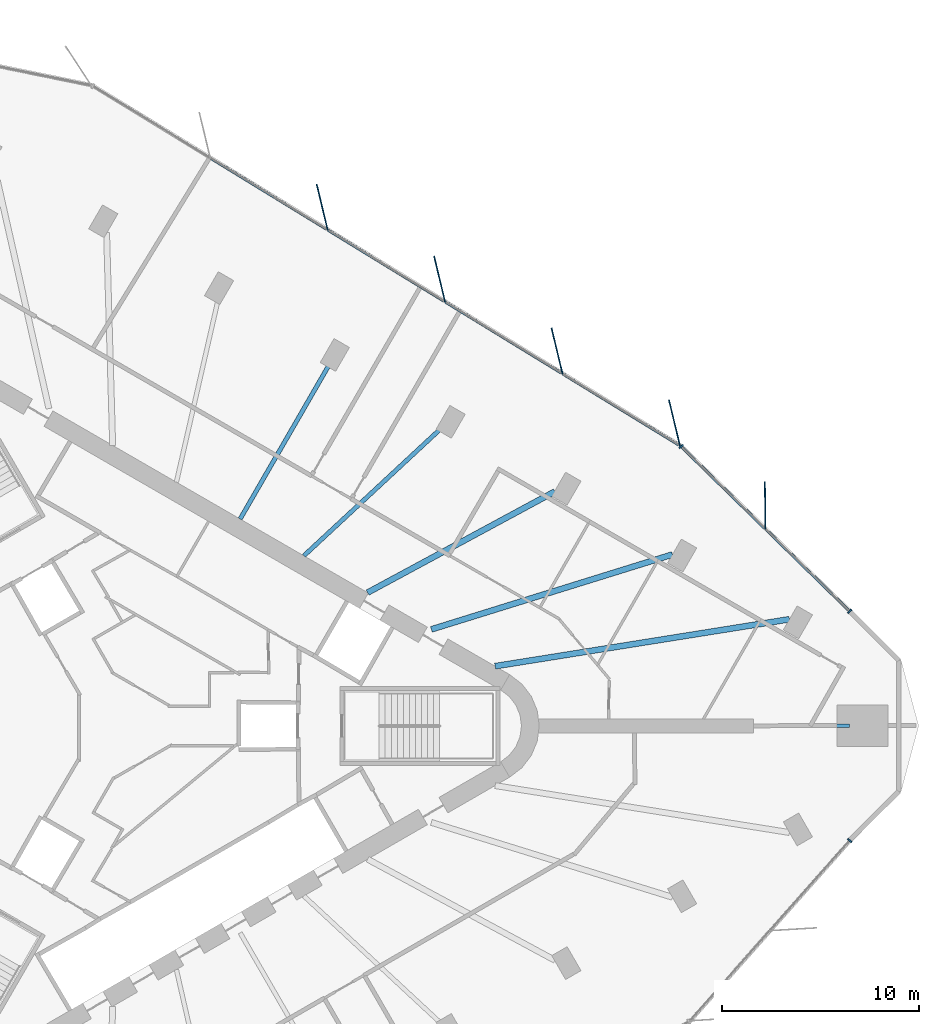
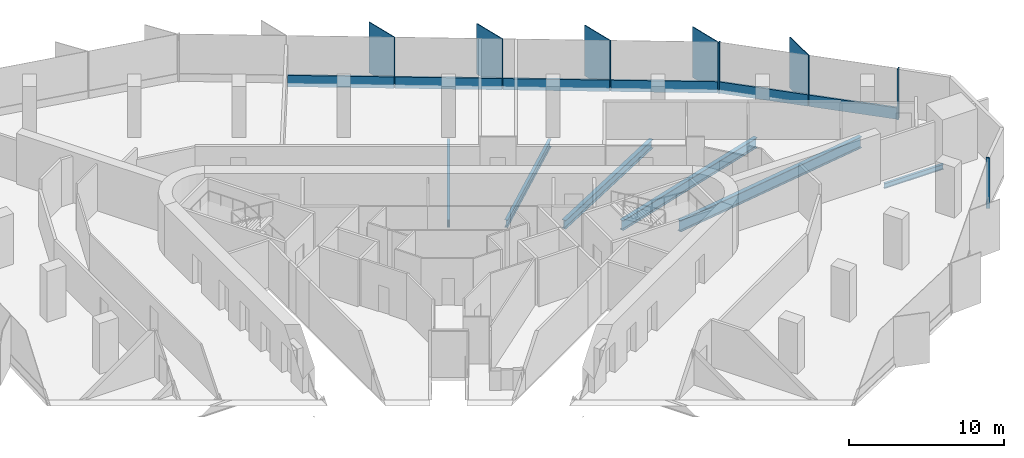
# One storey, part 5 of 14: 14 members, 6 beams, 3 elements without a shape of their own.
"""IFC4 building model written with IfcOpenShell, lengths in metres."""

from ifc_helpers import new_model, si_unit, direction, frame, origin, origin_2d, place, context, subcontext, project, spatial, rectangle, i_section, extrude, material, material_profile, profile_set, type_object, element, aggregate, save


model = new_model("IFC4")

# Units and contexts
model_context = context("Model", 3, precision=1e-05, world=origin(), true_north=direction((0.0, 1.0)))
body_context = subcontext(model_context, "Body", "Model", "MODEL_VIEW")
ifc_project = project(units=[si_unit("LENGTHUNIT", "METRE"), si_unit("AREAUNIT", "SQUARE_METRE"), si_unit("VOLUMEUNIT", "CUBIC_METRE"), si_unit("PLANEANGLEUNIT", "RADIAN"), si_unit("MASSUNIT", "GRAM", prefix="KILO")], contexts=[model_context])

# Site, building, storey
site_placement = place(None, origin())
site = spatial("IfcSite", under=ifc_project, at=site_placement, CompositionType="ELEMENT")
building_placement = place(site_placement, origin())
building = spatial("IfcBuilding", under=site, at=building_placement, Name="Tanit Gate Tower", CompositionType="ELEMENT")
storey_placement = place(building_placement, frame((0.0, 0.0, 241.199951171875)))
storey = spatial("IfcBuildingStorey", under=building, at=storey_placement, Name="L54", CompositionType="ELEMENT", Elevation=241.199951171875)

# Curtain wall, member
ifc_material_1 = material(Name="Aluminium bronze anodised and glass", Category="aluminium")
curtain_wall_type = type_object("IfcCurtainWallType", Name="Curtain wall typical mid", PredefinedType="NOTDEFINED", material=ifc_material_1)
curtain_wall_1_placement = place(storey_placement, origin())
curtain_wall_1 = element("IfcCurtainWall", 1, at=curtain_wall_1_placement, inside=storey, type_object=curtain_wall_type, Name="Curtain wall L54 NE1", PredefinedType="NOTDEFINED")
ifc_material_2 = material(Name="Aluminium bronze anodised", Category="aluminium")
ifc_material_profile_1 = material_profile(ifc_material_2, rectangle(XDim=2.39990234375, YDim=0.055908203125, at=origin_2d()), Name="56x2400 bronze fin mullion")
ifc_profile_set_1 = profile_set([ifc_material_profile_1], Name="Aluminium bronze anodised")
member_type_1 = type_object("IfcMemberType", Name="FIN MULLION 56x2400 bronze", PredefinedType="MULLION", material=ifc_profile_set_1)
member_1_placement = place(storey_placement, frame((32.64208984375, 11.155029296875, -0.300048828125), z_axis=(0.0, 0.0, 1.0), x_axis=(0.011210921491, -0.999937155645, 0.0)))
member_1 = element("IfcMember", 2, at=member_1_placement, type_object=member_type_1, Name="Fin mullion L54 NE1.2", PredefinedType="MULLION", context=body_context, shape_type="SweptSolid", body=[
    extrude(rectangle(XDim=2.39990234375, YDim=0.055908203125, at=origin_2d()), origin(), (0.0, 0.0, 1.0), 4.0),
])

# Curtain wall, members
curtain_wall_2_placement = place(storey_placement, origin())
curtain_wall_2 = element("IfcCurtainWall", 3, at=curtain_wall_2_placement, inside=storey, type_object=curtain_wall_type, Name="Curtain wall L54 NE2", PredefinedType="NOTDEFINED")
member_2_placement = place(storey_placement, frame((28.048828125, 15.344970703125, -0.300048828125), z_axis=(0.0, 0.0, 1.0), x_axis=(0.233691416098, -0.972310815553, 0.0)))
member_2 = element("IfcMember", 4, at=member_2_placement, type_object=member_type_1, Name="Fin mullion L54 NE2.1", PredefinedType="MULLION", context=body_context, shape_type="SweptSolid", body=[
    extrude(rectangle(XDim=2.39990234375, YDim=0.055908203125, at=origin_2d()), origin(), (0.0, 0.0, 1.0), 4.0),
])
member_3_placement = place(storey_placement, frame((22.101318359375, 18.987548828125, -0.300048828125), z_axis=(0.0, 0.0, 1.0), x_axis=(0.233691416098, -0.972310815553, 0.0)))
member_3 = element("IfcMember", 5, at=member_3_placement, type_object=member_type_1, Name="Fin mullion L54 NE2.2", PredefinedType="MULLION", context=body_context, shape_type="SweptSolid", body=[
    extrude(rectangle(XDim=2.39990234375, YDim=0.055908203125, at=origin_2d()), origin(), (0.0, 0.0, 1.0), 4.0),
])
member_4_placement = place(storey_placement, frame((16.154052734375, 22.6298828125, -0.300048828125), z_axis=(0.0, 0.0, 1.0), x_axis=(0.233691416098, -0.972310815553, 0.0)))
member_4 = element("IfcMember", 6, at=member_4_placement, type_object=member_type_1, Name="Fin mullion L54 NE2.3", PredefinedType="MULLION", context=body_context, shape_type="SweptSolid", body=[
    extrude(rectangle(XDim=2.39990234375, YDim=0.055908203125, at=origin_2d()), origin(), (0.0, 0.0, 1.0), 4.0),
])
member_5_placement = place(storey_placement, frame((10.206787109375, 26.2724609375, -0.300048828125), z_axis=(0.0, 0.0, 1.0), x_axis=(0.233691416098, -0.972310815553, 0.0)))
member_5 = element("IfcMember", 7, at=member_5_placement, type_object=member_type_1, Name="Fin mullion L54 NE2.4", PredefinedType="MULLION", context=body_context, shape_type="SweptSolid", body=[
    extrude(rectangle(XDim=2.39990234375, YDim=0.055908203125, at=origin_2d()), origin(), (0.0, 0.0, 1.0), 4.0),
])

# Member
ifc_material_3 = material(Name="Aluminium bronze anodised", Category="aluminium")
ifc_material_profile_2 = material_profile(ifc_material_3, rectangle(XDim=0.260009765625, YDim=0.080078125, at=origin_2d()), Name="80x260 bronze mullion")
ifc_profile_set_2 = profile_set([ifc_material_profile_2], Name="Aluminium bronze anodised")
member_type_2 = type_object("IfcMemberType", Name="Mullion 80x260 typical mid", PredefinedType="MULLION", material=ifc_profile_set_2)
member_6_placement = place(storey_placement, frame((36.923583984375, 5.802734375, -0.300048828125), z_axis=(0.0, 0.0, 1.0), x_axis=(-0.699135024907, -0.714989662126, 0.0)))
member_6 = element("IfcMember", 8, at=member_6_placement, type_object=member_type_2, Name="Mullion L54 NE1.1", PredefinedType="MULLION", context=body_context, shape_type="SweptSolid", body=[
    extrude(rectangle(XDim=0.260009765625, YDim=0.080078125, at=origin_2d()), origin(), (0.0, 0.0, 1.0), 4.0),
])

member_7_placement = place(storey_placement, frame((28.386962890625, 14.150146484375, -0.300048828125), z_axis=(0.0, 0.0, 1.0), x_axis=(-0.699135024907, -0.714989662126, 0.0)))
member_7 = element("IfcMember", 9, at=member_7_placement, type_object=member_type_2, Name="Mullion L54 NE1.3", PredefinedType="MULLION", context=body_context, shape_type="SweptSolid", body=[
    extrude(rectangle(XDim=0.260009765625, YDim=0.080078125, at=origin_2d()), origin(), (0.0, 0.0, 1.0), 4.0),
])

# Curtain wall, member
curtain_wall_3_placement = place(storey_placement, origin())
curtain_wall_3 = element("IfcCurtainWall", 10, at=curtain_wall_3_placement, inside=storey, type_object=curtain_wall_type, Name="Curtain wall L54 SE3", PredefinedType="NOTDEFINED")
member_8_placement = place(storey_placement, frame((36.922607421875, -5.807861328125, -0.300048828125), z_axis=(0.0, 0.0, 1.0), x_axis=(-0.748461606698, 0.663178123356, 0.0)))
member_8 = element("IfcMember", 11, at=member_8_placement, type_object=member_type_2, Name="Mullion L54 SE3.3", PredefinedType="MULLION", context=body_context, shape_type="SweptSolid", body=[
    extrude(rectangle(XDim=0.260009765625, YDim=0.080078125, at=origin_2d()), origin(), (0.0, 0.0, 1.0), 4.0),
])
aggregate(curtain_wall_3, [member_8])

# Beams
ifc_material_4 = material(Name="Steel S355", Category="steel")
ifc_material_profile_3 = material_profile(ifc_material_4, i_section(OverallWidth=0.300048828125, OverallDepth=0.68994140625, WebThickness=0.014404296875, FlangeThickness=0.027099609375, FilletRadius=0.027099609375, at=origin_2d()), Name="HEA 700")
ifc_profile_set_3 = profile_set([ifc_material_profile_3], Name="Steel S355")
beam_type_1 = type_object("IfcBeamType", Name="RADIAL GIRDER HEA 700 S355", PredefinedType="BEAM", material=ifc_profile_set_3)
beam_1_placement = place(storey_placement, frame((21.993896484375, 11.873046875, -0.64501953125), z_axis=(-0.879968075352, -0.475032826614, 0.0), x_axis=(0.475032826614, -0.879968075352, 0.0)))
element("IfcBeam", 12, at=beam_1_placement, inside=storey, type_object=beam_type_1, Name="RADIAL GIRDER", PredefinedType="BEAM", context=body_context, shape_type="SweptSolid", body=[
    extrude(i_section(OverallWidth=0.300048828125, OverallDepth=0.68994140625, WebThickness=0.014404296875, FlangeThickness=0.027099609375, FilletRadius=0.027099609375, at=origin_2d()), origin(), (0.0, 0.0, 1.0), 10.779541015625),
])
ifc_material_5 = material(Name="Steel S355", Category="steel")
ifc_material_profile_4 = material_profile(ifc_material_5, i_section(OverallWidth=0.300048828125, OverallDepth=0.7900390625, WebThickness=0.014892578125, FlangeThickness=0.028076171875, FilletRadius=0.030029296875, at=origin_2d()), Name="HEA 800")
ifc_profile_set_4 = profile_set([ifc_material_profile_4], Name="Steel S355")
beam_type_2 = type_object("IfcBeamType", Name="RADIAL GIRDER HEA 800 S355", PredefinedType="BEAM", material=ifc_profile_set_4)
beam_2_placement = place(storey_placement, frame((27.947998046875, 8.681396484375, -0.695068359375), z_axis=(-0.954989554266, -0.296639429684, 0.0), x_axis=(0.296639429684, -0.954989554266, 0.0)))
element("IfcBeam", 13, at=beam_2_placement, inside=storey, type_object=beam_type_2, Name="RADIAL GIRDER", PredefinedType="BEAM", context=body_context, shape_type="SweptSolid", body=[
    extrude(i_section(OverallWidth=0.300048828125, OverallDepth=0.7900390625, WebThickness=0.014892578125, FlangeThickness=0.028076171875, FilletRadius=0.030029296875, at=origin_2d()), origin(), (0.0, 0.0, 1.0), 12.786376953125),
])
ifc_material_6 = material(Name="Steel S355", Category="steel")
ifc_material_profile_5 = material_profile(ifc_material_6, i_section(OverallWidth=0.300048828125, OverallDepth=0.889892578125, WebThickness=0.01611328125, FlangeThickness=0.030029296875, FilletRadius=0.030029296875, at=origin_2d()), Name="HEA 900")
ifc_profile_set_5 = profile_set([ifc_material_profile_5], Name="Steel S355")
beam_type_3 = type_object("IfcBeamType", Name="RADIAL GIRDER HEA 900 S355", PredefinedType="BEAM", material=ifc_profile_set_5)
beam_3_placement = place(storey_placement, frame((33.872802734375, 5.4013671875, -0.744873046875), z_axis=(-0.987524864709, -0.157463143563, 0.0), x_axis=(0.157463143563, -0.987524864709, 0.0)))
element("IfcBeam", 14, at=beam_3_placement, inside=storey, type_object=beam_type_3, Name="RADIAL GIRDER", PredefinedType="BEAM", context=body_context, shape_type="SweptSolid", body=[
    extrude(i_section(OverallWidth=0.300048828125, OverallDepth=0.889892578125, WebThickness=0.01611328125, FlangeThickness=0.030029296875, FilletRadius=0.030029296875, at=origin_2d()), origin(), (0.0, 0.0, 1.0), 15.09521484375),
])
ifc_material_7 = material(Name="Steel S355", Category="steel")
ifc_material_profile_6 = material_profile(ifc_material_7, i_section(OverallWidth=0.179931640625, OverallDepth=0.39990234375, WebThickness=0.008544921875, FlangeThickness=0.013427734375, FilletRadius=0.02099609375, at=origin_2d()), Name="IPE 400")
ifc_profile_set_6 = profile_set([ifc_material_profile_6], Name="Steel S355")
beam_type_4 = type_object("IfcBeamType", Name="RADIAL GIRDER IPE 400 S355", PredefinedType="BEAM", material=ifc_profile_set_6)
beam_4_placement = place(storey_placement, frame((36.919677734375, 0.0, -0.5), z_axis=(-1.0, 0.0, 0.0), x_axis=(0.0, -1.0, 0.0)))
element("IfcBeam", 15, at=beam_4_placement, inside=storey, type_object=beam_type_4, Name="RADIAL GIRDER", PredefinedType="BEAM", context=body_context, shape_type="SweptSolid", body=[
    extrude(i_section(OverallWidth=0.179931640625, OverallDepth=0.39990234375, WebThickness=0.008544921875, FlangeThickness=0.013427734375, FilletRadius=0.02099609375, at=origin_2d()), origin(), (0.0, 0.0, 1.0), 4.401611328125),
])
ifc_material_8 = material(Name="Steel S355", Category="steel")
ifc_material_profile_7 = material_profile(ifc_material_8, i_section(OverallWidth=0.219970703125, OverallDepth=0.60009765625, WebThickness=0.011962890625, FlangeThickness=0.01904296875, FilletRadius=0.02392578125, at=origin_2d()), Name="IPE 600")
ifc_profile_set_7 = profile_set([ifc_material_profile_7], Name="Steel S355")
beam_type_5 = type_object("IfcBeamType", Name="RADIAL GIRDER IPE 600 S355", PredefinedType="BEAM", material=ifc_profile_set_7)
beam_5_placement = place(storey_placement, frame((16.316650390625, 15.150634765625, -0.599853515625), z_axis=(-0.73280888542, -0.680434521059, 0.0), x_axis=(0.680434521059, -0.73280888542, 0.0)))
element("IfcBeam", 16, at=beam_5_placement, inside=storey, type_object=beam_type_5, Name="RADIAL GIRDER", PredefinedType="BEAM", context=body_context, shape_type="SweptSolid", body=[
    extrude(i_section(OverallWidth=0.219970703125, OverallDepth=0.60009765625, WebThickness=0.011962890625, FlangeThickness=0.01904296875, FilletRadius=0.02392578125, at=origin_2d()), origin(), (0.0, 0.0, 1.0), 9.6025390625),
])
beam_6_placement = place(storey_placement, frame((10.6396484375, 18.428466796875, -0.599853515625), z_axis=(-0.499998789643, -0.866026102583, 0.0), x_axis=(0.866026102583, -0.499998789643, 0.0)))
element("IfcBeam", 17, at=beam_6_placement, inside=storey, type_object=beam_type_5, Name="RADIAL GIRDER", PredefinedType="BEAM", context=body_context, shape_type="SweptSolid", body=[
    extrude(i_section(OverallWidth=0.219970703125, OverallDepth=0.60009765625, WebThickness=0.011962890625, FlangeThickness=0.01904296875, FilletRadius=0.02392578125, at=origin_2d()), origin(), (0.0, 0.0, 1.0), 9.17724609375),
])

# Member
ifc_material_9 = material(Name="Aluminium bronze anodised", Category="aluminium")
ifc_material_profile_8 = material_profile(ifc_material_9, rectangle(XDim=0.139892578125, YDim=0.89990234375, at=origin_2d()), Name="140x900 bronze transom")
ifc_profile_set_8 = profile_set([ifc_material_profile_8], Name="Aluminium bronze anodised")
member_type_3 = type_object("IfcMemberType", Name="Transom 140x900 typical mid", PredefinedType="USERDEFINED", material=ifc_profile_set_8)
member_9_placement = place(storey_placement, frame((36.894775390625, 5.830810546875, 0.150146484375), z_axis=(-0.714979961132, 0.699144945759, 0.0), x_axis=(-0.699144945759, -0.714979961132, 0.0)))
member_9 = element("IfcMember", 18, at=member_9_placement, type_object=member_type_3, Name="Transom L54 NE1.1", ObjectType="TRANSOM", PredefinedType="USERDEFINED", context=body_context, shape_type="SweptSolid", body=[
    extrude(rectangle(XDim=0.139892578125, YDim=0.89990234375, at=origin_2d()), origin(), (0.0, 0.0, 1.0), 5.8896484375),
])

member_10_placement = place(storey_placement, frame((32.626708984375, 10.00439453125, 0.150146484375), z_axis=(-0.71500022257, 0.699124224817, 0.0), x_axis=(-0.699124224817, -0.71500022257, 0.0)))
member_10 = element("IfcMember", 19, at=member_10_placement, type_object=member_type_3, Name="Transom L54 NE1.2", ObjectType="TRANSOM", PredefinedType="USERDEFINED", context=body_context, shape_type="SweptSolid", body=[
    extrude(rectangle(XDim=0.139892578125, YDim=0.89990234375, at=origin_2d()), origin(), (0.0, 0.0, 1.0), 5.8896484375),
])

aggregate(curtain_wall_1, [member_6, member_1, member_7, member_9, member_10])

member_11_placement = place(storey_placement, frame((28.2900390625, 14.2197265625, 0.150146484375), z_axis=(-0.852764075529, 0.522296306216, 0.0), x_axis=(-0.522296306216, -0.852764075529, 0.0)))
member_11 = element("IfcMember", 20, at=member_11_placement, type_object=member_type_3, Name="Transom L54 NE2.1", ObjectType="TRANSOM", PredefinedType="USERDEFINED", context=body_context, shape_type="SweptSolid", body=[
    extrude(rectangle(XDim=0.139892578125, YDim=0.89990234375, at=origin_2d()), origin(), (0.0, 0.0, 1.0), 6.894287109375),
])

member_12_placement = place(storey_placement, frame((22.3427734375, 17.8623046875, 0.150146484375), z_axis=(-0.852779847921, 0.52227055343, 0.0), x_axis=(-0.52227055343, -0.852779847921, 0.0)))
member_12 = element("IfcMember", 21, at=member_12_placement, type_object=member_type_3, Name="Transom L54 NE2.2", ObjectType="TRANSOM", PredefinedType="USERDEFINED", context=body_context, shape_type="SweptSolid", body=[
    extrude(rectangle(XDim=0.139892578125, YDim=0.89990234375, at=origin_2d()), origin(), (0.0, 0.0, 1.0), 6.89404296875),
])

member_13_placement = place(storey_placement, frame((16.3955078125, 21.504638671875, 0.150146484375), z_axis=(-0.852764075529, 0.522296306216, 0.0), x_axis=(-0.522296306216, -0.852764075529, 0.0)))
member_13 = element("IfcMember", 22, at=member_13_placement, type_object=member_type_3, Name="Transom L54 NE2.3", ObjectType="TRANSOM", PredefinedType="USERDEFINED", context=body_context, shape_type="SweptSolid", body=[
    extrude(rectangle(XDim=0.139892578125, YDim=0.89990234375, at=origin_2d()), origin(), (0.0, 0.0, 1.0), 6.894287109375),
])

member_14_placement = place(storey_placement, frame((10.4482421875, 25.147216796875, 0.150146484375), z_axis=(-0.852779847921, 0.52227055343, 0.0), x_axis=(-0.52227055343, -0.852779847921, 0.0)))
member_14 = element("IfcMember", 23, at=member_14_placement, type_object=member_type_3, Name="Transom L54 NE2.4", ObjectType="TRANSOM", PredefinedType="USERDEFINED", context=body_context, shape_type="SweptSolid", body=[
    extrude(rectangle(XDim=0.139892578125, YDim=0.89990234375, at=origin_2d()), origin(), (0.0, 0.0, 1.0), 6.89404296875),
])

aggregate(curtain_wall_2, [member_2, member_3, member_4, member_5, member_11, member_12, member_13, member_14])

save(model, "model.ifc")
